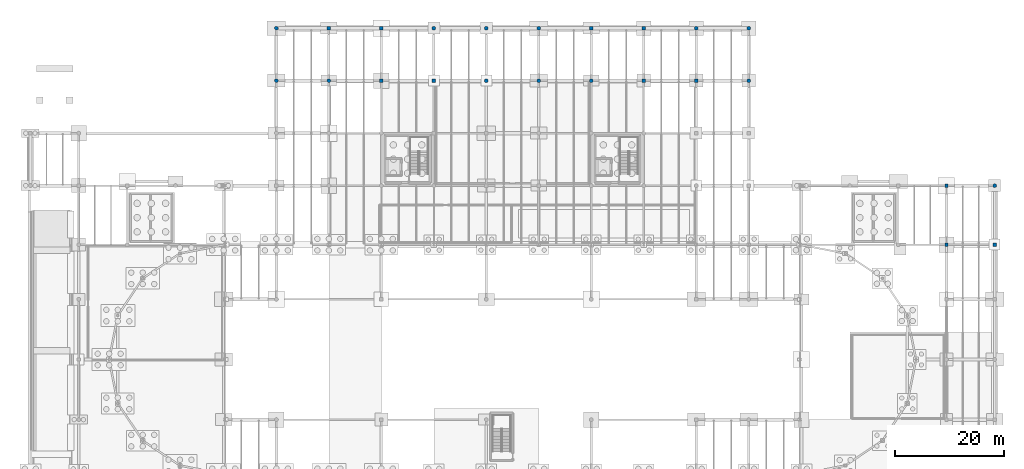
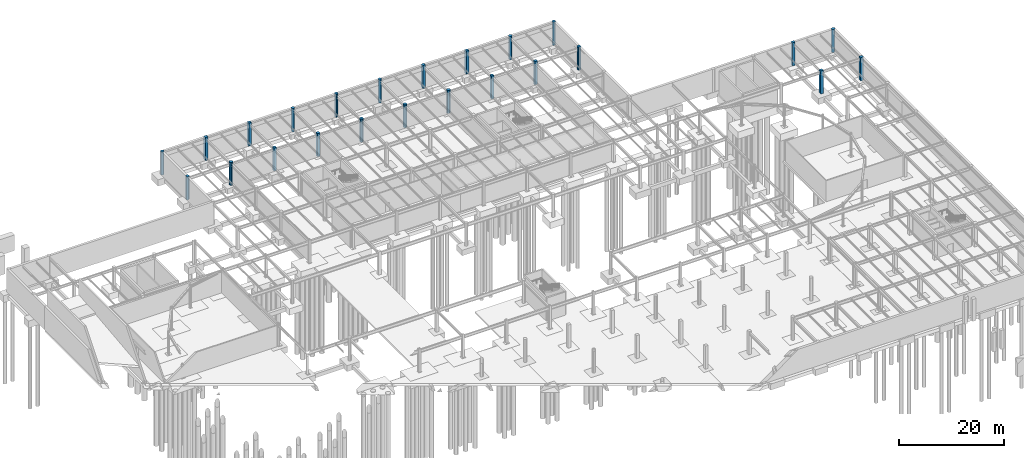
# One storey, part 30 of 50: 24 columns.
"""IFC4 building model written with IfcOpenShell, lengths in metres."""

from ifc_helpers import new_model, si_unit, direction, frame, origin, origin_2d, place, context, subcontext, project, spatial, rectangle, circle, extrude, material, material_profile, profile_set, type_object, element, save


model = new_model("IFC4")

# Units and contexts
model_context = context("Model", 3, precision=1e-05, world=origin(), true_north=direction((0.0, 1.0)))
body_context = subcontext(model_context, "Body", "Model", "MODEL_VIEW")
ifc_project = project(units=[si_unit("LENGTHUNIT", "METRE"), si_unit("AREAUNIT", "SQUARE_METRE"), si_unit("VOLUMEUNIT", "CUBIC_METRE"), si_unit("PLANEANGLEUNIT", "RADIAN"), si_unit("MASSUNIT", "GRAM", prefix="KILO")], contexts=[model_context])

# Site, building, storey
site_placement = place(None, origin())
site = spatial("IfcSite", under=ifc_project, at=site_placement, CompositionType="ELEMENT")
building_placement = place(site_placement, origin())
building = spatial("IfcBuilding", under=site, at=building_placement, Name="Yeouljin Market Hall", CompositionType="ELEMENT")
storey_placement = place(building_placement, frame((0.0, 0.0, -5.39990234375)))
storey = spatial("IfcBuildingStorey", under=building, at=storey_placement, Name="B1", CompositionType="ELEMENT", Elevation=-5.39990234375)

# Columns
ifc_material_1 = material(Name="Concrete C35/45", Category="concrete")
ifc_material_profile_1 = material_profile(ifc_material_1, rectangle(XDim=0.60009765625, YDim=0.60009765625, at=origin_2d()), Name="RC-600x600")
ifc_profile_set_1 = profile_set([ifc_material_profile_1], Name="Concrete C35/45")
column_type_1 = type_object("IfcColumnType", Name="Col_RC-600x600", PredefinedType="COLUMN", material=ifc_profile_set_1)
for number, where, z_axis, x_axis, name in (
    (1, (54.60009765625, 117.60009765625, 0.0), (0.0, 0.0, 1.0), (1.0, 0.0, 0.0), "Column G-07-12 (B1)"),
    (2, (64.199951171875, 108.0, 0.0), (0.0, 0.0, 1.0), (1.0, 0.0, 0.0), "Column G-08-11 (B1)"),
    (3, (64.199951171875, 117.60009765625, 0.0), (0.0, 0.0, 1.0), (1.0, 0.0, 0.0), "Column G-08-12 (B1)"),
    (4, (73.800048828125, 108.0, 0.0), (0.0, 0.0, 1.0), (1.0, 0.0, 0.0), "Column G-09-11 (B1)"),
    (5, (102.60009765625, 117.60009765625, 0.0), (0.0, 0.0, 1.0), (1.0, 0.0, 0.0), "Column G-12-12 (B1)"),
    (6, (112.199951171875, 108.0, 0.0), (0.0, 0.0, 1.0), (1.0, 0.0, 0.0), "Column G-13-11 (B1)"),
    (7, (112.199951171875, 117.60009765625, 0.0), (0.0, 0.0, 1.0), (1.0, 0.0, 0.0), "Column G-13-12 (B1)"),
    (8, (121.800048828125, 108.0, 0.0), (0.0, 0.0, 1.0), (1.0, 0.0, 0.0), "Column G-14-11 (B1)"),
    (9, (167.570068359375, 78.0, 0.0), (0.0, 0.0, 1.0), (1.0, 0.0, 0.0), "Column G-20-08 (B1)"),
    (10, (167.570068359375, 88.800048828125, 0.0), (0.0, 0.0, 1.0), (1.0, 0.0, 0.0), "Column G-20-09 (B1)"),
    (11, (176.39990234375, 78.0, 0.0), (0.0, 0.0, 1.0), (1.0, 0.0, 0.0), "Column G-21-08 (B1)"),
):
    element("IfcColumn", number, at=place(storey_placement, frame(where, z_axis=z_axis, x_axis=x_axis)), inside=storey, type_object=column_type_1, Name=name, PredefinedType="COLUMN", context=body_context, shape_type="SweptSolid", body=[
        extrude(rectangle(XDim=0.60009765625, YDim=0.60009765625, at=origin_2d()), origin(), (0.0, 0.0, 1.0), 5.39990234375),
    ])
ifc_material_2 = material(Name="Concrete C35/45", Category="concrete")
ifc_material_profile_2 = material_profile(ifc_material_2, circle(Radius=0.35009765625, at=origin_2d()), Name="RC-D700")
ifc_profile_set_2 = profile_set([ifc_material_profile_2], Name="Concrete C35/45")
column_type_2 = type_object("IfcColumnType", Name="Col_RC-D700", PredefinedType="COLUMN", material=ifc_profile_set_2)
for number, where, z_axis, x_axis, name in (
    (12, (45.0, 108.0, 0.0), (0.0, 0.0, 1.0), (1.0, 0.0, 0.0), "Column G-06-11 (B1)"),
    (13, (45.0, 117.60009765625, 0.0), (0.0, 0.0, 1.0), (1.0, 0.0, 0.0), "Column G-06-12 (B1)"),
    (14, (54.60009765625, 108.0, 0.0), (0.0, 0.0, 1.0), (1.0, 0.0, 0.0), "Column G-07-11 (B1)"),
    (15, (73.800048828125, 117.60009765625, 0.0), (0.0, 0.0, 1.0), (1.0, 0.0, 0.0), "Column G-09-12 (B1)"),
    (16, (83.39990234375, 108.0, 0.0), (0.0, 0.0, 1.0), (1.0, 0.0, 0.0), "Column G-10-11 (B1)"),
    (17, (83.39990234375, 117.60009765625, 0.0), (0.0, 0.0, 1.0), (1.0, 0.0, 0.0), "Column G-10-12 (B1)"),
    (18, (93.0, 108.0, 0.0), (0.0, 0.0, 1.0), (1.0, 0.0, 0.0), "Column G-11-11 (B1)"),
    (19, (93.0, 117.60009765625, 0.0), (0.0, 0.0, 1.0), (1.0, 0.0, 0.0), "Column G-11-12 (B1)"),
    (20, (102.60009765625, 108.0, 0.0), (0.0, 0.0, 1.0), (1.0, 0.0, 0.0), "Column G-12-11 (B1)"),
    (21, (121.800048828125, 117.60009765625, 0.0), (0.0, 0.0, 1.0), (1.0, 0.0, 0.0), "Column G-14-12 (B1)"),
    (22, (131.39990234375, 108.0, 0.0), (0.0, 0.0, 1.0), (1.0, 0.0, 0.0), "Column G-15-11 (B1)"),
    (23, (131.39990234375, 117.60009765625, 0.0), (0.0, 0.0, 1.0), (1.0, 0.0, 0.0), "Column G-15-12 (B1)"),
    (24, (176.39990234375, 88.800048828125, 0.0), (0.0, 0.0, 1.0), (1.0, 0.0, 0.0), "Column G-21-09 (B1)"),
):
    element("IfcColumn", number, at=place(storey_placement, frame(where, z_axis=z_axis, x_axis=x_axis)), inside=storey, type_object=column_type_2, Name=name, PredefinedType="COLUMN", context=body_context, shape_type="SweptSolid", body=[
        extrude(circle(Radius=0.35009765625, at=origin_2d()), origin(), (0.0, 0.0, 1.0), 5.39990234375),
    ])

save(model, "model.ifc")
